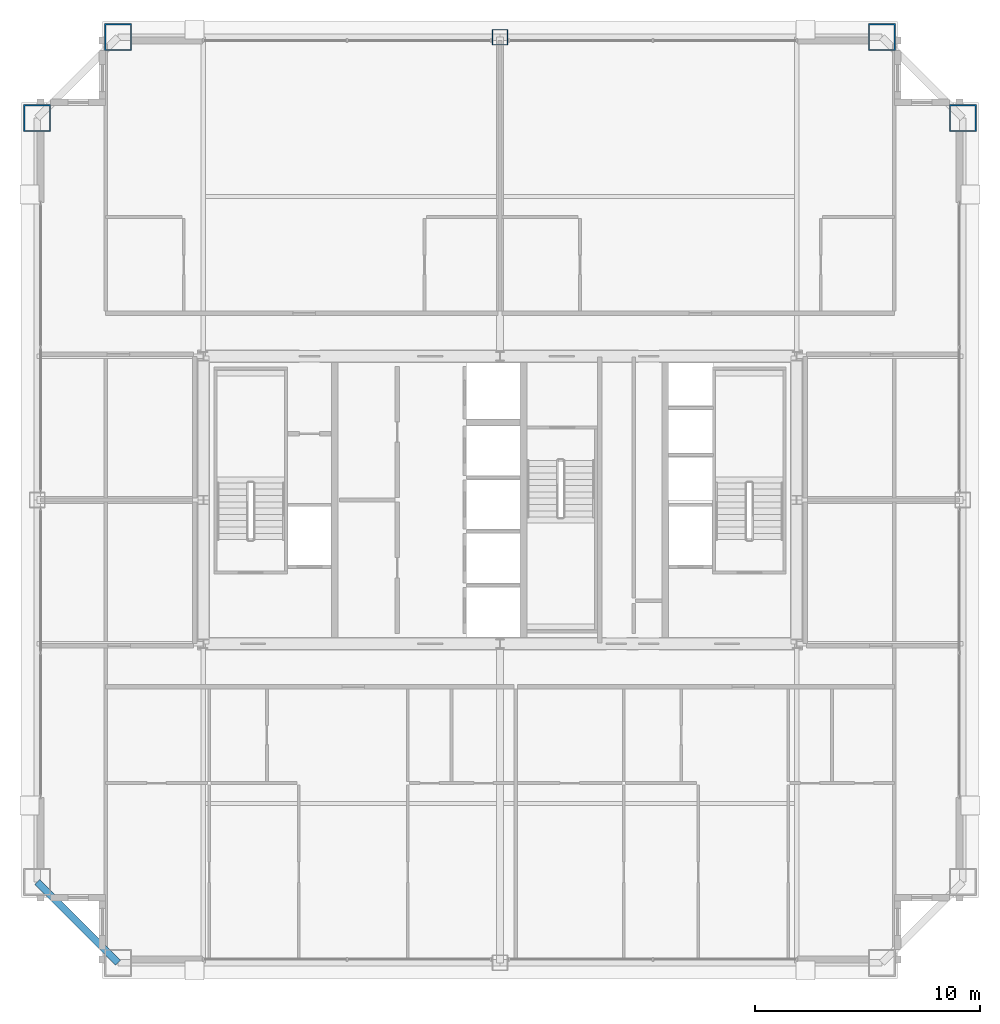
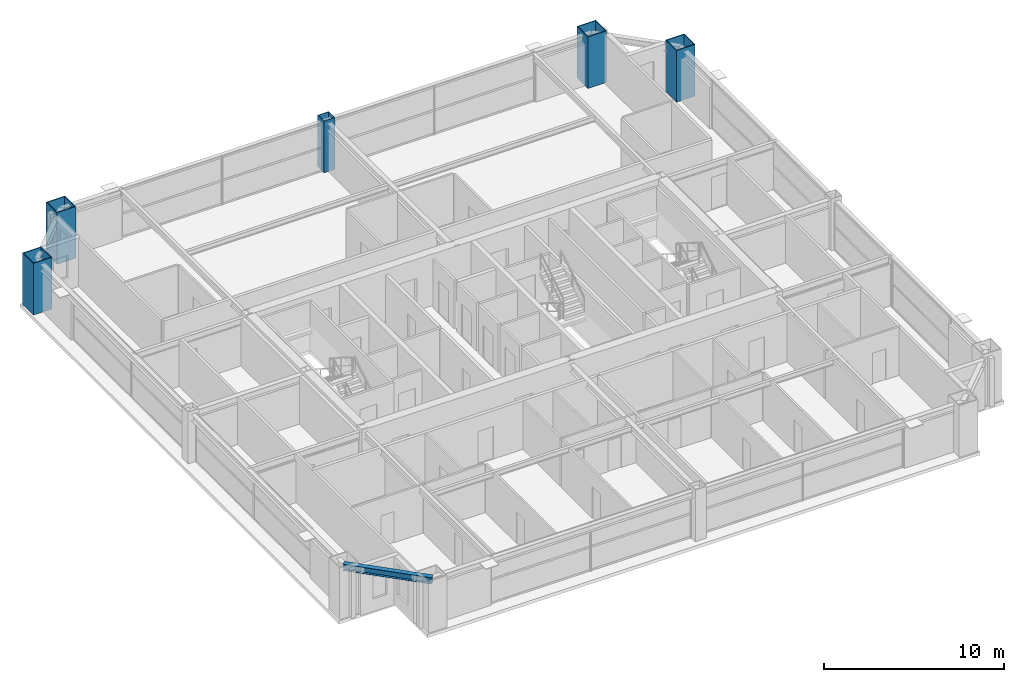
# One storey, part 2 of 36: 5 columns, 1 beam.
"""IFC4 building model written with IfcOpenShell, lengths in metres."""

from ifc_helpers import new_model, si_unit, direction, frame, origin, origin_2d, place, context, subcontext, project, spatial, hollow_rectangle, i_section, extrude, source, transform, mapped, material, material_profile, profile_set, type_object, element, save


model = new_model("IFC4")

# Units and contexts
model_context = context("Model", 3, precision=1e-05, world=origin(), true_north=direction((0.0, 1.0)))
body_context = subcontext(model_context, "Body", "Model", "MODEL_VIEW")
ifc_project = project(units=[si_unit("LENGTHUNIT", "METRE"), si_unit("AREAUNIT", "SQUARE_METRE"), si_unit("VOLUMEUNIT", "CUBIC_METRE"), si_unit("PLANEANGLEUNIT", "RADIAN"), si_unit("MASSUNIT", "GRAM", prefix="KILO"), si_unit("THERMODYNAMICTEMPERATUREUNIT", "KELVIN"), si_unit("POWERUNIT", "WATT")], contexts=[model_context])

# Site, building, storey
site_placement = place(None, origin())
site = spatial("IfcSite", under=ifc_project, at=site_placement, CompositionType="ELEMENT")
building_placement = place(site_placement, origin())
building = spatial("IfcBuilding", under=site, at=building_placement, Name="Yuzanri Waterfront Tower", CompositionType="ELEMENT")
storey_placement = place(building_placement, frame((0.0, 0.0, 231.10009765625)))
storey = spatial("IfcBuildingStorey", under=building, at=storey_placement, Name="L61", CompositionType="ELEMENT", Elevation=231.10009765625)

# Columns
ifc_material_1 = material(Name="Steel Q390GJC", Category="steel")
ifc_material_profile_1 = material_profile(ifc_material_1, hollow_rectangle(XDim=1.199951171875, YDim=1.199951171875, WallThickness=0.054931640625, at=origin_2d()), Name="RHS 1200x1200x55")
ifc_profile_set_1 = profile_set([ifc_material_profile_1], Name="Steel Q390GJC")
column_type_1 = type_object("IfcColumnType", Name="Mega Column Q390GJC RHS 1200x1200x55", PredefinedType="COLUMN", material=ifc_profile_set_1)
shared_shape_1 = source(origin(), body_context, "Body", "SweptSolid", [
    extrude(hollow_rectangle(XDim=1.199951171875, YDim=1.199951171875, WallThickness=0.054931640625, at=origin_2d()), origin(), (0.0, 0.0, 1.0), 3.5),
])
for number, where, z_axis, x_axis, name in (
    (1, (20.0, 46.39990234375, 0.0), (0.0, 0.0, 1.0), (1.0, 0.0, 0.0), "L61 Perimeter Mega Column N1"),
    (2, (54.0, 46.39990234375, 0.0), (0.0, 0.0, 1.0), (1.0, 0.0, 0.0), "L61 Perimeter Mega Column N3"),
    (3, (16.39990234375, 42.800048828125, 0.0), (0.0, 0.0, 1.0), (1.0, 0.0, 0.0), "L61 Perimeter Mega Column W3"),
    (4, (57.60009765625, 42.800048828125, 0.0), (0.0, 0.0, 1.0), (1.0, 0.0, 0.0), "L61 Perimeter Mega Column E3"),
):
    element("IfcColumn", number, at=place(storey_placement, frame(where, z_axis=z_axis, x_axis=x_axis)), inside=storey, type_object=column_type_1, Name=name, PredefinedType="COLUMN", context=body_context, shape_type="MappedRepresentation", body=[
        mapped(shared_shape_1, transform((0.0, 0.0, 0.0), scale=1.0)),
    ])
ifc_material_2 = material(Name="Steel Q355B", Category="steel")
ifc_material_profile_2 = material_profile(ifc_material_2, hollow_rectangle(XDim=0.699951171875, YDim=0.699951171875, WallThickness=0.031982421875, at=origin_2d()), Name="RHS 700x700x32")
ifc_profile_set_2 = profile_set([ifc_material_profile_2], Name="Steel Q355B")
column_type_2 = type_object("IfcColumnType", Name="Frame Column Q355B RHS 700x700x32", PredefinedType="COLUMN", material=ifc_profile_set_2)
shared_shape_2 = source(origin(), body_context, "Body", "SweptSolid", [
    extrude(hollow_rectangle(XDim=0.699951171875, YDim=0.699951171875, WallThickness=0.031982421875, at=origin_2d()), origin(), (0.0, 0.0, 1.0), 3.5),
])
column_placement = place(storey_placement, frame((37.0, 46.39990234375, 0.0), z_axis=(0.0, 0.0, 1.0), x_axis=(1.0, 0.0, 0.0)))
element("IfcColumn", 5, at=column_placement, inside=storey, type_object=column_type_2, Name="L61 Perimeter Frame Column N2", PredefinedType="COLUMN", context=body_context, shape_type="MappedRepresentation", body=[
    mapped(shared_shape_2, transform((0.0, 0.0, 0.0), scale=1.0)),
])

# Beam
ifc_material_3 = material(Name="Steel Q355B", Category="steel")
ifc_material_profile_3 = material_profile(ifc_material_3, i_section(OverallWidth=0.300048828125, OverallDepth=0.43994140625, WebThickness=0.010986328125, FlangeThickness=0.01806640625, at=origin_2d()), Name="HM 440x300x11x18")
ifc_profile_set_3 = profile_set([ifc_material_profile_3], Name="Steel Q355B")
beam_type = type_object("IfcBeamType", Name="Perimeter Spandrel Q355B HM 440x300", PredefinedType="SPANDREL", material=ifc_profile_set_3)
shared_shape_3 = source(origin(), body_context, "Body", "SweptSolid", [
    extrude(i_section(OverallWidth=0.300048828125, OverallDepth=0.43994140625, WebThickness=0.010986328125, FlangeThickness=0.01806640625, at=origin_2d()), origin(), (0.0, 0.0, 1.0), 5.09130859375),
])
beam_placement = place(storey_placement, frame((16.39990234375, 8.800048828125, 3.059814453125), z_axis=(0.707106781187, -0.707106781187, 0.0), x_axis=(0.707106781187, 0.707106781187, 0.0)))
element("IfcBeam", 6, at=beam_placement, inside=storey, type_object=beam_type, Name="L61 Perimeter Spandrel W1-S1", PredefinedType="SPANDREL", context=body_context, shape_type="MappedRepresentation", body=[
    mapped(shared_shape_3, transform((0.0, 0.0, 0.0), scale=1.0)),
])

save(model, "model.ifc")
